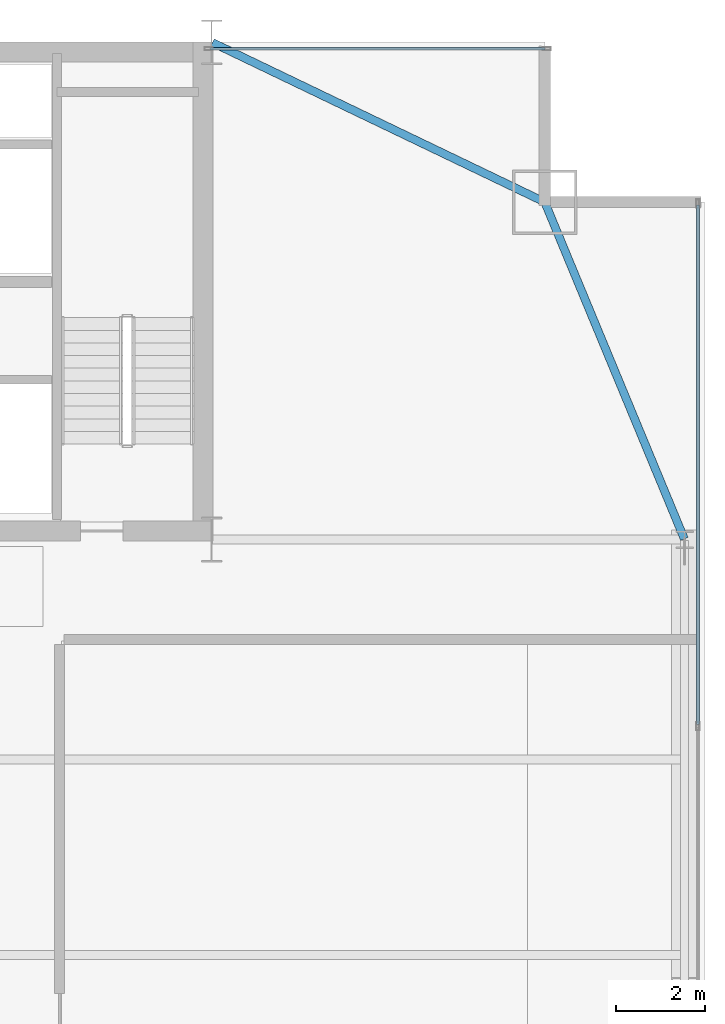
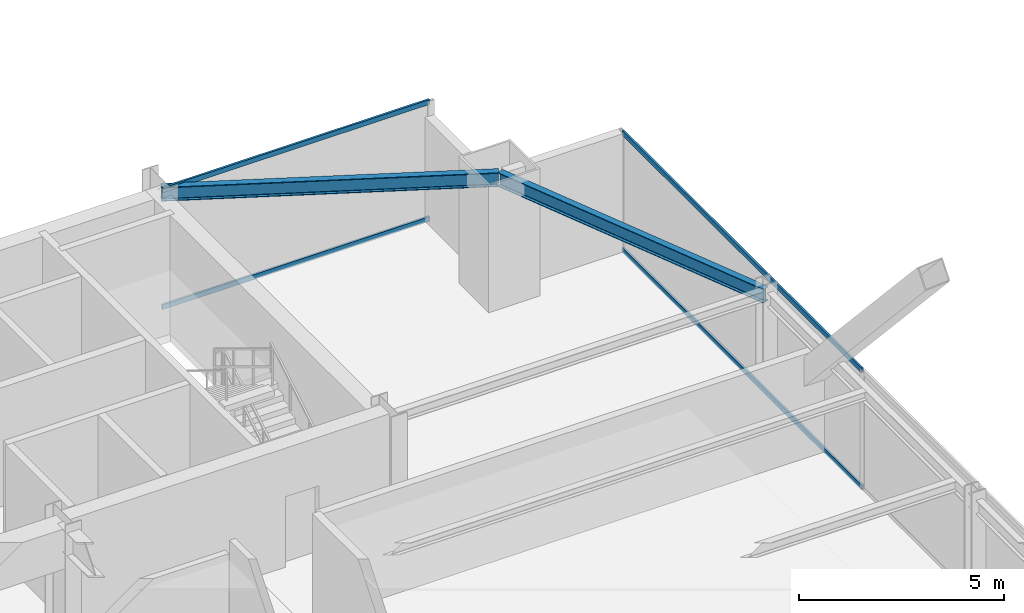
# One storey, part 27 of 38: 4 members, 2 beams, 2 elements without a shape of their own.
"""IFC4 building model written with IfcOpenShell, lengths in metres."""

from ifc_helpers import new_model, si_unit, direction, frame, origin, origin_2d, place, context, subcontext, project, spatial, hollow_rectangle, i_section, extrude, source, transform, mapped, material, layer, layer_set, material_profile, profile_set, type_object, type_shapes, element, aggregate, save


model = new_model("IFC4")

# Units and contexts
model_context = context("Model", 3, precision=1e-05, world=origin(), true_north=direction((0.0, 1.0)))
body_context = subcontext(model_context, "Body", "Model", "MODEL_VIEW")
ifc_project = project(units=[si_unit("LENGTHUNIT", "METRE"), si_unit("AREAUNIT", "SQUARE_METRE"), si_unit("VOLUMEUNIT", "CUBIC_METRE"), si_unit("PLANEANGLEUNIT", "RADIAN"), si_unit("MASSUNIT", "GRAM", prefix="KILO")], contexts=[model_context])

# Site, building, storey
site_placement = place(None, origin())
site = spatial("IfcSite", under=ifc_project, at=site_placement, CompositionType="ELEMENT")
building_placement = place(site_placement, origin())
building = spatial("IfcBuilding", under=site, at=building_placement, Name="Varnel Quay Broadcast Tower", CompositionType="ELEMENT")
storey_placement = place(building_placement, frame((0.0, 0.0, 118.199951171875)))
storey = spatial("IfcBuildingStorey", under=building, at=storey_placement, Name="L28", CompositionType="ELEMENT", Elevation=118.199951171875)

# Beams
ifc_material_1 = material(Name="Structural Steel CSA G40.21 350W", Category="steel")
ifc_material_profile_1 = material_profile(ifc_material_1, i_section(OverallWidth=0.180908203125, OverallDepth=0.4169921875, WebThickness=0.010986328125, FlangeThickness=0.018310546875, FilletRadius=0.011962890625, at=origin_2d()), Name="W410X85")
ifc_profile_set_1 = profile_set([ifc_material_profile_1], Name="Structural Steel CSA G40.21 350W")
beam_type = type_object("IfcBeamType", Name="Beam_W410X85", PredefinedType="SPANDREL", material=ifc_profile_set_1)
shared_shape_1 = source(origin(), body_context, "Body", "SweptSolid", [
    extrude(i_section(OverallWidth=0.180908203125, OverallDepth=0.4169921875, WebThickness=0.010986328125, FlangeThickness=0.018310546875, FilletRadius=0.011962890625, at=origin_2d()), origin(), (0.0, 0.0, 1.0), 8.186767578125),
])
beam_1_placement = place(storey_placement, frame((63.042236328125, 35.618408203125, 3.341552734375), z_axis=(-0.382874132092, 0.923800519038, 0.0), x_axis=(-0.923800519038, -0.382874132092, 0.0)))
element("IfcBeam", 1, at=beam_1_placement, inside=storey, type_object=beam_type, Name="L28 East Spandrel TC-E3-MC-NE", PredefinedType="SPANDREL", context=body_context, shape_type="MappedRepresentation", body=[
    mapped(shared_shape_1, transform((0.0, 0.0, 0.0), x_axis=(1.0, 0.0, 0.0), y_axis=(0.0, 1.0, 0.0), z_axis=(0.0, 0.0, 1.0), scale=1.0)),
])
shared_shape_2 = source(origin(), body_context, "Body", "SweptSolid", [
    extrude(i_section(OverallWidth=0.180908203125, OverallDepth=0.4169921875, WebThickness=0.010986328125, FlangeThickness=0.018310546875, FilletRadius=0.011962890625, at=origin_2d()), origin(), (0.0, 0.0, 1.0), 8.279296875),
])
type_shapes(beam_type, [shared_shape_1, shared_shape_2])
beam_2_placement = place(storey_placement, frame((52.41796875, 46.791259765625, 3.341552734375), z_axis=(0.901535021024, -0.432706142626, 0.0), x_axis=(0.432706142626, 0.901535021024, 0.0)))
element("IfcBeam", 2, at=beam_2_placement, inside=storey, type_object=beam_type, Name="L28 NE Tie Spandrel", PredefinedType="SPANDREL", context=body_context, shape_type="MappedRepresentation", body=[
    mapped(shared_shape_2, transform((0.0, 0.0, 0.0), x_axis=(1.0, 0.0, 0.0), y_axis=(0.0, 1.0, 0.0), z_axis=(0.0, 0.0, 1.0), scale=1.0)),
])

# Curtain wall, members
ifc_material_2 = material(Name="Anodised Bronze Aluminium 6063-T6", Category="aluminium")
ifc_layer = layer(ifc_material_2, 0.18994140625, Name="Anodised Bronze Aluminium 6063-T6")
ifc_layer_set = layer_set([ifc_layer], Name="Anodised Bronze Aluminium 6063-T6")
curtain_wall_type = type_object("IfcCurtainWallType", Name="CW_LowerTower", PredefinedType="NOTDEFINED", material=ifc_layer_set)
curtain_wall_1_placement = place(storey_placement, origin())
curtain_wall_1 = element("IfcCurtainWall", 3, at=curtain_wall_1_placement, inside=storey, type_object=curtain_wall_type, Name="L28 East Unitised Curtain Wall", PredefinedType="NOTDEFINED")
ifc_material_profile_2 = material_profile(ifc_material_2, hollow_rectangle(XDim=0.06005859375, YDim=0.14501953125, WallThickness=0.00341796875, at=origin_2d()), Name="ALU60X145X3.5")
ifc_profile_set_2 = profile_set([ifc_material_profile_2], Name="Anodised Bronze Aluminium 6063-T6")
member_type = type_object("IfcMemberType", Name="Tran_CWS-02", PredefinedType="USERDEFINED", material=ifc_profile_set_2)
shared_shape_3 = source(origin(), body_context, "Body", "SweptSolid", [
    extrude(hollow_rectangle(XDim=0.06005859375, YDim=0.14501953125, WallThickness=0.00341796875, at=origin_2d()), origin(), (0.0, 0.0, 1.0), 11.69482421875),
])
member_1_placement = place(storey_placement, frame((63.35009765625, 31.43505859375, 0.030029296875), z_axis=(0.0, 1.0, 0.0), x_axis=(-1.0, 0.0, 0.0)))
member_1 = element("IfcMember", 4, at=member_1_placement, type_object=member_type, Name="CWS-02 transom 3.1", ObjectType="TRANSOM", PredefinedType="USERDEFINED", context=body_context, shape_type="MappedRepresentation", body=[
    mapped(shared_shape_3, transform((0.0, 0.0, 0.0), x_axis=(1.0, 0.0, 0.0), y_axis=(0.0, 1.0, 0.0), z_axis=(0.0, 0.0, 1.0), scale=1.0)),
])
member_2_placement = place(storey_placement, frame((63.35009765625, 31.43505859375, 3.52001953125), z_axis=(0.0, 1.0, 0.0), x_axis=(-1.0, 0.0, 0.0)))
member_2 = element("IfcMember", 5, at=member_2_placement, type_object=member_type, Name="CWS-02 transom 3.2", ObjectType="TRANSOM", PredefinedType="USERDEFINED", context=body_context, shape_type="MappedRepresentation", body=[
    mapped(shared_shape_3, transform((0.0, 0.0, 0.0), x_axis=(1.0, 0.0, 0.0), y_axis=(0.0, 1.0, 0.0), z_axis=(0.0, 0.0, 1.0), scale=1.0)),
])
aggregate(curtain_wall_1, [member_1, member_2])

curtain_wall_2_placement = place(storey_placement, origin())
curtain_wall_2 = element("IfcCurtainWall", 6, at=curtain_wall_2_placement, inside=storey, type_object=curtain_wall_type, Name="L28 NE Wing Curtain Wall", PredefinedType="NOTDEFINED")
shared_shape_4 = source(origin(), body_context, "Body", "SweptSolid", [
    extrude(hollow_rectangle(XDim=0.06005859375, YDim=0.14501953125, WallThickness=0.00341796875, at=origin_2d()), origin(), (0.0, 0.0, 1.0), 7.539794921875),
])
type_shapes(member_type, [shared_shape_3, shared_shape_4])
member_3_placement = place(storey_placement, frame((52.3701171875, 46.64990234375, 0.030029296875), z_axis=(1.0, 0.0, 0.0), x_axis=(0.0, 1.0, 0.0)))
member_3 = element("IfcMember", 7, at=member_3_placement, type_object=member_type, Name="CWS-02 transom 1.1", ObjectType="TRANSOM", PredefinedType="USERDEFINED", context=body_context, shape_type="MappedRepresentation", body=[
    mapped(shared_shape_4, transform((0.0, 0.0, 0.0), x_axis=(1.0, 0.0, 0.0), y_axis=(0.0, 1.0, 0.0), z_axis=(0.0, 0.0, 1.0), scale=1.0)),
])
member_4_placement = place(storey_placement, frame((52.3701171875, 46.64990234375, 3.52001953125), z_axis=(1.0, 0.0, 0.0), x_axis=(0.0, 1.0, 0.0)))
member_4 = element("IfcMember", 8, at=member_4_placement, type_object=member_type, Name="CWS-02 transom 1.2", ObjectType="TRANSOM", PredefinedType="USERDEFINED", context=body_context, shape_type="MappedRepresentation", body=[
    mapped(shared_shape_4, transform((0.0, 0.0, 0.0), x_axis=(1.0, 0.0, 0.0), y_axis=(0.0, 1.0, 0.0), z_axis=(0.0, 0.0, 1.0), scale=1.0)),
])
aggregate(curtain_wall_2, [member_3, member_4])

save(model, "model.ifc")
